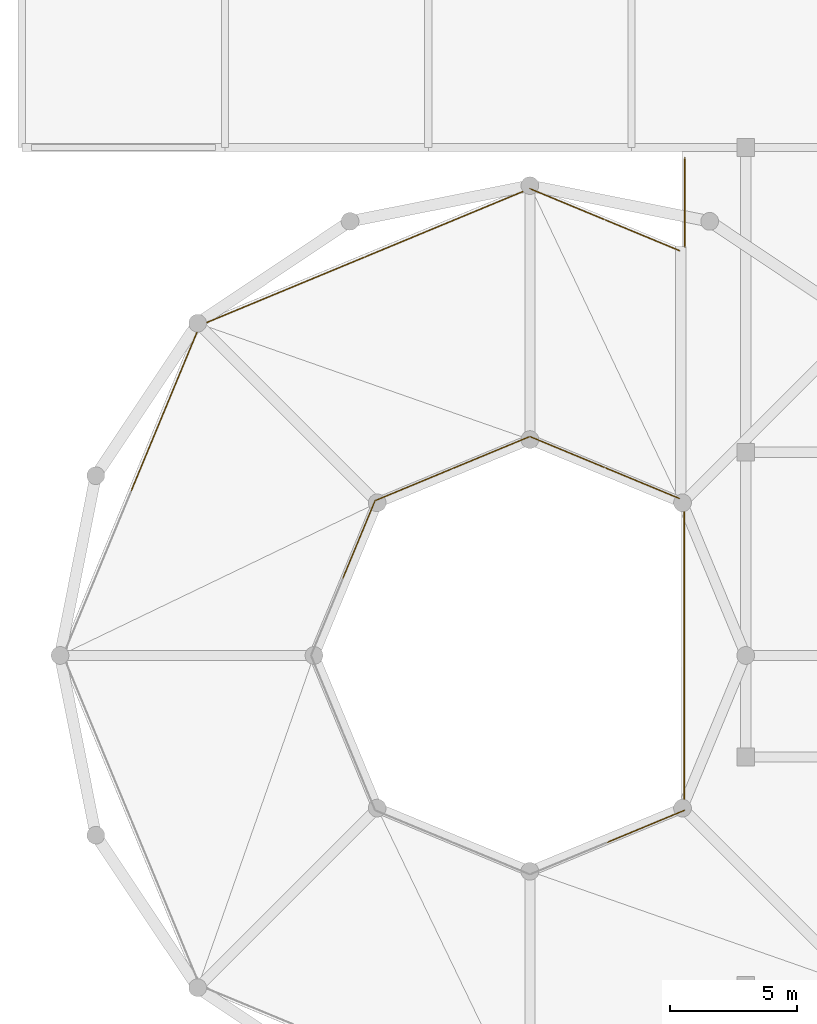
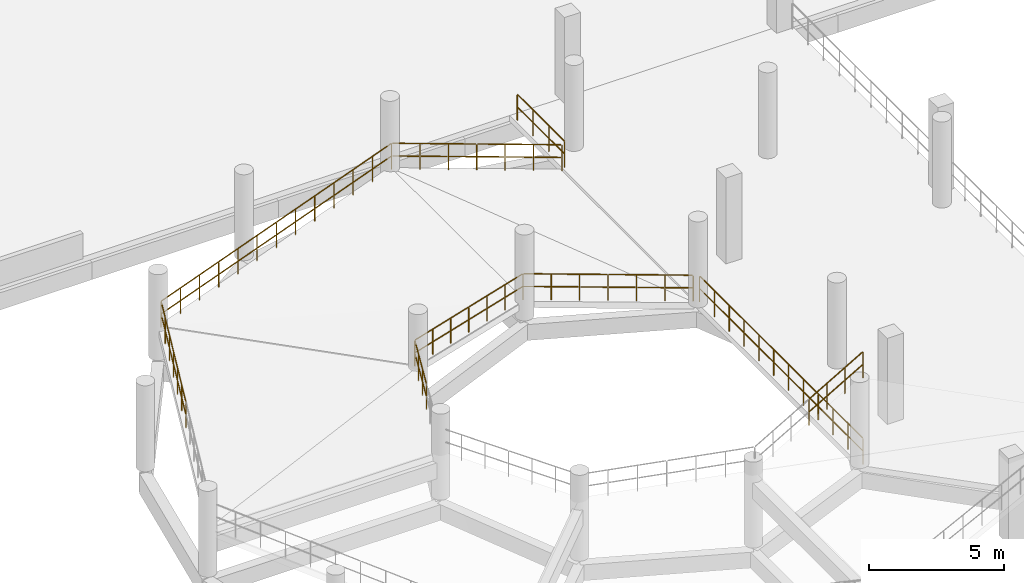
# One storey, part 67 of 76: 13 railings.
"""IFC4 building model written with IfcOpenShell, lengths in metres."""

from ifc_helpers import new_model, si_unit, derived_unit, direction, frame, origin, origin_2d, place, context, subcontext, project, spatial, circle, extrude, material, type_object, element, save


model = new_model("IFC4")

# Units and contexts
model_context = context("Model", 3, precision=1e-05, world=origin(), true_north=direction((0.0, 1.0)))
body_context = subcontext(model_context, "Body", "Model", "MODEL_VIEW")
ifc_project = project(units=[si_unit("LENGTHUNIT", "METRE"), si_unit("AREAUNIT", "SQUARE_METRE"), si_unit("VOLUMEUNIT", "CUBIC_METRE"), si_unit("PLANEANGLEUNIT", "RADIAN"), si_unit("MASSUNIT", "GRAM", prefix="KILO"), si_unit("THERMODYNAMICTEMPERATUREUNIT", "KELVIN"), derived_unit("THERMALTRANSMITTANCEUNIT", [(si_unit("POWERUNIT", "WATT"), 1), (si_unit("AREAUNIT", "SQUARE_METRE"), -1), (si_unit("THERMODYNAMICTEMPERATUREUNIT", "KELVIN"), -1)])], contexts=[model_context])

# Site, building, storey
site_placement = place(None, origin())
site = spatial("IfcSite", under=ifc_project, at=site_placement, CompositionType="ELEMENT")
building_placement = place(site_placement, origin())
building = spatial("IfcBuilding", under=site, at=building_placement, Name="Haiyu Intermodal Mobility Hub", CompositionType="ELEMENT")
storey_placement = place(building_placement, frame((0.0, 0.0, 17.300048828125)))
storey = spatial("IfcBuildingStorey", under=building, at=storey_placement, Name="L04", CompositionType="ELEMENT", Elevation=17.300048828125)

# Railings
ifc_material = material(Name="Steel Q355C", Category="steel")
railing_type = type_object("IfcRailingType", Name="RAL-GR01", PredefinedType="GUARDRAIL", material=ifc_material)
railing_1_placement = place(storey_placement, frame((40.080078125, 53.8798828125, 0.0)))
element("IfcRailing", 1, at=railing_1_placement, inside=storey, type_object=railing_type, Name="L04 Ramp Arrival Deck Inner Drum Guard", PredefinedType="GUARDRAIL", context=body_context, shape_type="SweptSolid", body=[
    extrude(circle(Radius=0.02392578125, at=origin_2d()), frame((0.0, 0.030029296875, 1.17578125), z_axis=(0.0, 1.0, 0.0), x_axis=(-1.0, 0.0, 0.0)), (0.0, 0.0, 1.0), 12.080078125),
    extrude(circle(Radius=0.02392578125, at=origin_2d()), frame((0.0, 0.037353515625, 0.60009765625), z_axis=(0.0, 1.0, 0.0), x_axis=(-1.0, 0.0, 0.0)), (0.0, 0.0, 1.0), 1.029052734375),
    extrude(circle(Radius=0.02392578125, at=origin_2d()), frame((0.0, 1.140869140625, 0.60009765625), z_axis=(0.0, 1.0, 0.0), x_axis=(-1.0, 0.0, 0.0)), (0.0, 0.0, 1.0), 1.029052734375),
    extrude(circle(Radius=0.02392578125, at=origin_2d()), frame((0.0, 2.24462890625, 0.60009765625), z_axis=(0.0, 1.0, 0.0), x_axis=(-1.0, 0.0, 0.0)), (0.0, 0.0, 1.0), 1.029052734375),
    extrude(circle(Radius=0.02392578125, at=origin_2d()), frame((0.0, 3.34814453125, 0.60009765625), z_axis=(0.0, 1.0, 0.0), x_axis=(-1.0, 0.0, 0.0)), (0.0, 0.0, 1.0), 1.029052734375),
    extrude(circle(Radius=0.02392578125, at=origin_2d()), frame((0.0, 4.451904296875, 0.60009765625), z_axis=(0.0, 1.0, 0.0), x_axis=(-1.0, 0.0, 0.0)), (0.0, 0.0, 1.0), 1.029052734375),
    extrude(circle(Radius=0.02392578125, at=origin_2d()), frame((0.0, 5.555419921875, 0.60009765625), z_axis=(0.0, 1.0, 0.0), x_axis=(-1.0, 0.0, 0.0)), (0.0, 0.0, 1.0), 1.029052734375),
    extrude(circle(Radius=0.02392578125, at=origin_2d()), frame((0.0, 6.6591796875, 0.60009765625), z_axis=(0.0, 1.0, 0.0), x_axis=(-1.0, 0.0, 0.0)), (0.0, 0.0, 1.0), 1.029052734375),
    extrude(circle(Radius=0.02392578125, at=origin_2d()), frame((0.0, 7.762939453125, 0.60009765625), z_axis=(0.0, 1.0, 0.0), x_axis=(-1.0, 0.0, 0.0)), (0.0, 0.0, 1.0), 1.029052734375),
    extrude(circle(Radius=0.02392578125, at=origin_2d()), frame((0.0, 8.866455078125, 0.60009765625), z_axis=(0.0, 1.0, 0.0), x_axis=(-1.0, 0.0, 0.0)), (0.0, 0.0, 1.0), 1.029052734375),
    extrude(circle(Radius=0.02392578125, at=origin_2d()), frame((0.0, 9.97021484375, 0.60009765625), z_axis=(0.0, 1.0, 0.0), x_axis=(-1.0, 0.0, 0.0)), (0.0, 0.0, 1.0), 1.029052734375),
    extrude(circle(Radius=0.02392578125, at=origin_2d()), frame((0.0, 11.07373046875, 0.60009765625), z_axis=(0.0, 1.0, 0.0), x_axis=(-1.0, 0.0, 0.0)), (0.0, 0.0, 1.0), 1.029052734375),
    extrude(circle(Radius=0.02099609375, at=origin_2d()), origin(), (0.0, 0.0, 1.0), 1.143798828125),
    extrude(circle(Radius=0.02099609375, at=origin_2d()), frame((0.0, 1.103759765625, 0.0)), (0.0, 0.0, 1.0), 1.143798828125),
    extrude(circle(Radius=0.02099609375, at=origin_2d()), frame((0.0, 2.207275390625, 0.0)), (0.0, 0.0, 1.0), 1.143798828125),
    extrude(circle(Radius=0.02099609375, at=origin_2d()), frame((0.0, 3.31103515625, 0.0)), (0.0, 0.0, 1.0), 1.143798828125),
    extrude(circle(Radius=0.02099609375, at=origin_2d()), frame((0.0, 4.41455078125, 0.0)), (0.0, 0.0, 1.0), 1.143798828125),
    extrude(circle(Radius=0.02099609375, at=origin_2d()), frame((0.0, 5.518310546875, 0.0)), (0.0, 0.0, 1.0), 1.143798828125),
    extrude(circle(Radius=0.02099609375, at=origin_2d()), frame((0.0, 6.621826171875, 0.0)), (0.0, 0.0, 1.0), 1.143798828125),
    extrude(circle(Radius=0.02099609375, at=origin_2d()), frame((0.0, 7.7255859375, 0.0)), (0.0, 0.0, 1.0), 1.143798828125),
    extrude(circle(Radius=0.02099609375, at=origin_2d()), frame((0.0, 8.8291015625, 0.0)), (0.0, 0.0, 1.0), 1.143798828125),
    extrude(circle(Radius=0.02099609375, at=origin_2d()), frame((0.0, 9.932861328125, 0.0)), (0.0, 0.0, 1.0), 1.143798828125),
    extrude(circle(Radius=0.02099609375, at=origin_2d()), frame((0.0, 11.036376953125, 0.0)), (0.0, 0.0, 1.0), 1.143798828125),
    extrude(circle(Radius=0.02099609375, at=origin_2d()), frame((0.0, 12.14013671875, 0.0)), (0.0, 0.0, 1.0), 1.143798828125),
])
railing_2_placement = place(storey_placement, frame((40.10009765625, 76.080078125, 0.0)))
element("IfcRailing", 2, at=railing_2_placement, inside=storey, type_object=railing_type, Name="L04 Ramp Arrival Deck North-West Guard", PredefinedType="GUARDRAIL", context=body_context, shape_type="SweptSolid", body=[
    extrude(circle(Radius=0.02392578125, at=origin_2d()), frame((0.0, 0.030029296875, 1.17578125), z_axis=(0.0, 1.0, 0.0), x_axis=(-1.0, 0.0, 0.0)), (0.0, 0.0, 1.0), 3.4599609375),
    extrude(circle(Radius=0.02392578125, at=origin_2d()), frame((0.0, 0.037353515625, 0.60009765625), z_axis=(0.0, 1.0, 0.0), x_axis=(-1.0, 0.0, 0.0)), (0.0, 0.0, 1.0), 1.0986328125),
    extrude(circle(Radius=0.02392578125, at=origin_2d()), frame((0.0, 1.210693359375, 0.60009765625), z_axis=(0.0, 1.0, 0.0), x_axis=(-1.0, 0.0, 0.0)), (0.0, 0.0, 1.0), 1.0986328125),
    extrude(circle(Radius=0.02392578125, at=origin_2d()), frame((0.0, 2.384033203125, 0.60009765625), z_axis=(0.0, 1.0, 0.0), x_axis=(-1.0, 0.0, 0.0)), (0.0, 0.0, 1.0), 1.0986328125),
    extrude(circle(Radius=0.02099609375, at=origin_2d()), origin(), (0.0, 0.0, 1.0), 1.143798828125),
    extrude(circle(Radius=0.02099609375, at=origin_2d()), frame((0.0, 1.17333984375, 0.0)), (0.0, 0.0, 1.0), 1.143798828125),
    extrude(circle(Radius=0.02099609375, at=origin_2d()), frame((0.0, 2.3466796875, 0.0)), (0.0, 0.0, 1.0), 1.143798828125),
    extrude(circle(Radius=0.02099609375, at=origin_2d()), frame((0.0, 3.52001953125, 0.0)), (0.0, 0.0, 1.0), 1.143798828125),
])
for number, where, name in (
    (3, (39.89990234375, 75.93603515625, 0.0), "RAL-VRMP-O-L04-01A"),
    (4, (36.949951171875, 77.157958984375, 0.324951171875), "RAL-VRMP-O-L04-01B"),
    (5, (39.89990234375, 66.176025390625, 0.0), "RAL-VRMP-I-L04-01A"),
):
    element("IfcRailing", number, at=place(storey_placement, frame(where)), inside=storey, type_object=railing_type, Name=name, PredefinedType="GUARDRAIL", context=body_context, shape_type="SweptSolid", body=[
        extrude(circle(Radius=0.02392578125, at=origin_2d()), frame((-0.027587890625, 0.011474609375, 1.178955078125), z_axis=(-0.91913050102, 0.380720694993, 0.101246602405), x_axis=(-0.382687186701, -0.923877977405, 0.0)), (0.0, 0.0, 1.0), 3.1494140625),
        extrude(circle(Radius=0.02392578125, at=origin_2d()), frame((-0.0341796875, 0.01416015625, 0.603759765625), z_axis=(-0.91913050102, 0.380720694993, 0.101246602405), x_axis=(-0.382687186701, -0.923877977405, 0.0)), (0.0, 0.0, 1.0), 0.995361328125),
        extrude(circle(Radius=0.02392578125, at=origin_2d()), frame((-1.017578125, 0.42138671875, 0.712158203125), z_axis=(-0.91913050102, 0.380720694993, 0.101246602405), x_axis=(-0.382687186701, -0.923877977405, 0.0)), (0.0, 0.0, 1.0), 0.995361328125),
        extrude(circle(Radius=0.02392578125, at=origin_2d()), frame((-2.0009765625, 0.828857421875, 0.8203125), z_axis=(-0.91913050102, 0.380720694993, 0.101246602405), x_axis=(-0.382687186701, -0.923877977405, 0.0)), (0.0, 0.0, 1.0), 0.995361328125),
        extrude(circle(Radius=0.02099609375, at=origin_2d()), origin(), (0.0, 0.0, 1.0), 1.143798828125),
        extrude(circle(Radius=0.02099609375, at=origin_2d()), frame((-0.9833984375, 0.4072265625, 0.1083984375)), (0.0, 0.0, 1.0), 1.143798828125),
        extrude(circle(Radius=0.02099609375, at=origin_2d()), frame((-1.966552734375, 0.814697265625, 0.216552734375)), (0.0, 0.0, 1.0), 1.143798828125),
        extrude(circle(Radius=0.02099609375, at=origin_2d()), frame((-2.949951171875, 1.221923828125, 0.324951171875)), (0.0, 0.0, 1.0), 1.143798828125),
    ])
railing_3_placement = place(storey_placement, frame((36.949951171875, 67.39794921875, 0.324951171875)))
element("IfcRailing", 6, at=railing_3_placement, inside=storey, type_object=railing_type, Name="RAL-VRMP-I-L04-01B", PredefinedType="GUARDRAIL", context=body_context, shape_type="SweptSolid", body=[
    extrude(circle(Radius=0.02392578125, at=origin_2d()), frame((-0.027587890625, 0.011474609375, 1.178955078125), z_axis=(-0.919103880865, 0.380785734305, 0.101243670068), x_axis=(-0.382752447143, -0.923850942634, 0.0)), (0.0, 0.0, 1.0), 3.149658203125),
    extrude(circle(Radius=0.02392578125, at=origin_2d()), frame((-0.0341796875, 0.01416015625, 0.603759765625), z_axis=(-0.919103880865, 0.380785734305, 0.101243670068), x_axis=(-0.382752447143, -0.923850942634, 0.0)), (0.0, 0.0, 1.0), 0.995361328125),
    extrude(circle(Radius=0.02392578125, at=origin_2d()), frame((-1.017578125, 0.421630859375, 0.712158203125), z_axis=(-0.919103880865, 0.380785734305, 0.101243670068), x_axis=(-0.382752447143, -0.923850942634, 0.0)), (0.0, 0.0, 1.0), 0.995361328125),
    extrude(circle(Radius=0.02392578125, at=origin_2d()), frame((-2.0009765625, 0.8291015625, 0.8203125), z_axis=(-0.919103880865, 0.380785734305, 0.101243670068), x_axis=(-0.382752447143, -0.923850942634, 0.0)), (0.0, 0.0, 1.0), 0.995361328125),
    extrude(circle(Radius=0.02099609375, at=origin_2d()), origin(), (0.0, 0.0, 1.0), 1.143798828125),
    extrude(circle(Radius=0.02099609375, at=origin_2d()), frame((-0.9833984375, 0.407470703125, 0.1083984375)), (0.0, 0.0, 1.0), 1.143798828125),
    extrude(circle(Radius=0.02099609375, at=origin_2d()), frame((-1.966552734375, 0.814697265625, 0.216552734375)), (0.0, 0.0, 1.0), 1.143798828125),
    extrude(circle(Radius=0.02099609375, at=origin_2d()), frame((-2.949951171875, 1.22216796875, 0.324951171875)), (0.0, 0.0, 1.0), 1.143798828125),
])
railing_4_placement = place(storey_placement, frame((34.0, 78.3798828125, 0.64990234375)))
element("IfcRailing", 7, at=railing_4_placement, inside=storey, type_object=railing_type, Name="RAL-VRMP-O-L04-02A", PredefinedType="GUARDRAIL", context=body_context, shape_type="SweptSolid", body=[
    extrude(circle(Radius=0.02392578125, at=origin_2d()), frame((-0.027587890625, -0.011474609375, 1.17724609375), z_axis=(-0.922879282684, -0.382313907833, 0.046150898905), x_axis=(0.382721705618, -0.923863678282, 0.0)), (0.0, 0.0, 1.0), 6.98095703125),
    extrude(circle(Radius=0.02392578125, at=origin_2d()), frame((-0.034423828125, -0.01416015625, 0.601806640625), z_axis=(-0.922879282684, -0.382313907833, 0.046150898905), x_axis=(0.382721705618, -0.923863678282, 0.0)), (0.0, 0.0, 1.0), 1.098876953125),
    extrude(circle(Radius=0.02392578125, at=origin_2d()), frame((-1.117431640625, -0.462890625, 0.65576171875), z_axis=(-0.922879282684, -0.382313907833, 0.046150898905), x_axis=(0.382721705618, -0.923863678282, 0.0)), (0.0, 0.0, 1.0), 1.098876953125),
    extrude(circle(Radius=0.02392578125, at=origin_2d()), frame((-2.200439453125, -0.91162109375, 0.7099609375), z_axis=(-0.922879282684, -0.382313907833, 0.046150898905), x_axis=(0.382721705618, -0.923863678282, 0.0)), (0.0, 0.0, 1.0), 1.098876953125),
    extrude(circle(Radius=0.02392578125, at=origin_2d()), frame((-3.283447265625, -1.360107421875, 0.76416015625), z_axis=(-0.922879282684, -0.382313907833, 0.046150898905), x_axis=(0.382721705618, -0.923863678282, 0.0)), (0.0, 0.0, 1.0), 1.098876953125),
    extrude(circle(Radius=0.02392578125, at=origin_2d()), frame((-4.366455078125, -1.808837890625, 0.818359375), z_axis=(-0.922879282684, -0.382313907833, 0.046150898905), x_axis=(0.382721705618, -0.923863678282, 0.0)), (0.0, 0.0, 1.0), 1.098876953125),
    extrude(circle(Radius=0.02392578125, at=origin_2d()), frame((-5.449462890625, -2.257568359375, 0.87255859375), z_axis=(-0.922879282684, -0.382313907833, 0.046150898905), x_axis=(0.382721705618, -0.923863678282, 0.0)), (0.0, 0.0, 1.0), 1.098876953125),
    extrude(circle(Radius=0.02099609375, at=origin_2d()), origin(), (0.0, 0.0, 1.0), 1.143798828125),
    extrude(circle(Radius=0.02099609375, at=origin_2d()), frame((-1.0830078125, -0.44873046875, 0.05419921875)), (0.0, 0.0, 1.0), 1.143798828125),
    extrude(circle(Radius=0.02099609375, at=origin_2d()), frame((-2.166015625, -0.897216796875, 0.1083984375)), (0.0, 0.0, 1.0), 1.143798828125),
    extrude(circle(Radius=0.02099609375, at=origin_2d()), frame((-3.2490234375, -1.345947265625, 0.16259765625)), (0.0, 0.0, 1.0), 1.143798828125),
    extrude(circle(Radius=0.02099609375, at=origin_2d()), frame((-4.33203125, -1.794677734375, 0.216552734375)), (0.0, 0.0, 1.0), 1.143798828125),
    extrude(circle(Radius=0.02099609375, at=origin_2d()), frame((-5.4150390625, -2.2431640625, 0.270751953125)), (0.0, 0.0, 1.0), 1.143798828125),
    extrude(circle(Radius=0.02099609375, at=origin_2d()), frame((-6.498046875, -2.69189453125, 0.324951171875)), (0.0, 0.0, 1.0), 1.143798828125),
])
railing_5_placement = place(storey_placement, frame((27.501953125, 75.68798828125, 0.974853515625)))
element("IfcRailing", 8, at=railing_5_placement, inside=storey, type_object=railing_type, Name="RAL-VRMP-O-L04-02B", PredefinedType="GUARDRAIL", context=body_context, shape_type="SweptSolid", body=[
    extrude(circle(Radius=0.02392578125, at=origin_2d()), frame((-0.027587890625, -0.011474609375, 1.17724609375), z_axis=(-0.922877805314, -0.382313295814, 0.046185498823), x_axis=(0.382721705618, -0.923863678282, 0.0)), (0.0, 0.0, 1.0), 6.98095703125),
    extrude(circle(Radius=0.02392578125, at=origin_2d()), frame((-0.034423828125, -0.01416015625, 0.601806640625), z_axis=(-0.922877805314, -0.382313295814, 0.046185498823), x_axis=(0.382721705618, -0.923863678282, 0.0)), (0.0, 0.0, 1.0), 1.098876953125),
    extrude(circle(Radius=0.02392578125, at=origin_2d()), frame((-1.117431640625, -0.462890625, 0.656005859375), z_axis=(-0.922877805314, -0.382313295814, 0.046185498823), x_axis=(0.382721705618, -0.923863678282, 0.0)), (0.0, 0.0, 1.0), 1.098876953125),
    extrude(circle(Radius=0.02392578125, at=origin_2d()), frame((-2.200439453125, -0.91162109375, 0.710205078125), z_axis=(-0.922877805314, -0.382313295814, 0.046185498823), x_axis=(0.382721705618, -0.923863678282, 0.0)), (0.0, 0.0, 1.0), 1.098876953125),
    extrude(circle(Radius=0.02392578125, at=origin_2d()), frame((-3.283447265625, -1.360107421875, 0.764404296875), z_axis=(-0.922877805314, -0.382313295814, 0.046185498823), x_axis=(0.382721705618, -0.923863678282, 0.0)), (0.0, 0.0, 1.0), 1.098876953125),
    extrude(circle(Radius=0.02392578125, at=origin_2d()), frame((-4.366455078125, -1.808837890625, 0.818603515625), z_axis=(-0.922877805314, -0.382313295814, 0.046185498823), x_axis=(0.382721705618, -0.923863678282, 0.0)), (0.0, 0.0, 1.0), 1.098876953125),
    extrude(circle(Radius=0.02392578125, at=origin_2d()), frame((-5.449462890625, -2.257568359375, 0.872802734375), z_axis=(-0.922877805314, -0.382313295814, 0.046185498823), x_axis=(0.382721705618, -0.923863678282, 0.0)), (0.0, 0.0, 1.0), 1.098876953125),
    extrude(circle(Radius=0.02099609375, at=origin_2d()), origin(), (0.0, 0.0, 1.0), 1.143798828125),
    extrude(circle(Radius=0.02099609375, at=origin_2d()), frame((-1.0830078125, -0.44873046875, 0.05419921875)), (0.0, 0.0, 1.0), 1.143798828125),
    extrude(circle(Radius=0.02099609375, at=origin_2d()), frame((-2.166015625, -0.897216796875, 0.1083984375)), (0.0, 0.0, 1.0), 1.143798828125),
    extrude(circle(Radius=0.02099609375, at=origin_2d()), frame((-3.2490234375, -1.345947265625, 0.16259765625)), (0.0, 0.0, 1.0), 1.143798828125),
    extrude(circle(Radius=0.02099609375, at=origin_2d()), frame((-4.33203125, -1.794677734375, 0.216796875)), (0.0, 0.0, 1.0), 1.143798828125),
    extrude(circle(Radius=0.02099609375, at=origin_2d()), frame((-5.4150390625, -2.2431640625, 0.27099609375)), (0.0, 0.0, 1.0), 1.143798828125),
    extrude(circle(Radius=0.02099609375, at=origin_2d()), frame((-6.498046875, -2.69189453125, 0.3251953125)), (0.0, 0.0, 1.0), 1.143798828125),
])
railing_6_placement = place(storey_placement, frame((34.0, 68.6201171875, 0.64990234375)))
element("IfcRailing", 9, at=railing_6_placement, inside=storey, type_object=railing_type, Name="RAL-VRMP-I-L04-02A", PredefinedType="GUARDRAIL", context=body_context, shape_type="SweptSolid", body=[
    extrude(circle(Radius=0.02392578125, at=origin_2d()), frame((-0.027587890625, -0.011474609375, 1.178955078125), z_axis=(-0.919468217836, -0.380748953641, 0.098022602959), x_axis=(0.382591441855, -0.923917630863, 0.0)), (0.0, 0.0, 1.0), 3.255126953125),
    extrude(circle(Radius=0.02392578125, at=origin_2d()), frame((-0.0341796875, -0.01416015625, 0.603515625), z_axis=(-0.919468217836, -0.380748953641, 0.098022602959), x_axis=(0.382591441855, -0.923917630863, 0.0)), (0.0, 0.0, 1.0), 1.030517578125),
    extrude(circle(Radius=0.02392578125, at=origin_2d()), frame((-1.05029296875, -0.434814453125, 0.7119140625), z_axis=(-0.919468217836, -0.380748953641, 0.098022602959), x_axis=(0.382591441855, -0.923917630863, 0.0)), (0.0, 0.0, 1.0), 1.030517578125),
    extrude(circle(Radius=0.02392578125, at=origin_2d()), frame((-2.06640625, -0.855712890625, 0.8203125), z_axis=(-0.919468217836, -0.380748953641, 0.098022602959), x_axis=(0.382591441855, -0.923917630863, 0.0)), (0.0, 0.0, 1.0), 1.030517578125),
    extrude(circle(Radius=0.02099609375, at=origin_2d()), origin(), (0.0, 0.0, 1.0), 1.143798828125),
    extrude(circle(Radius=0.02099609375, at=origin_2d()), frame((-1.01611328125, -0.420654296875, 0.1083984375)), (0.0, 0.0, 1.0), 1.143798828125),
    extrude(circle(Radius=0.02099609375, at=origin_2d()), frame((-2.031982421875, -0.841552734375, 0.216552734375)), (0.0, 0.0, 1.0), 1.143798828125),
    extrude(circle(Radius=0.02099609375, at=origin_2d()), frame((-3.048095703125, -1.26220703125, 0.324951171875)), (0.0, 0.0, 1.0), 1.143798828125),
])
railing_7_placement = place(storey_placement, frame((30.951904296875, 67.35791015625, 0.974853515625)))
element("IfcRailing", 10, at=railing_7_placement, inside=storey, type_object=railing_type, Name="RAL-VRMP-I-L04-02B", PredefinedType="GUARDRAIL", context=body_context, shape_type="SweptSolid", body=[
    extrude(circle(Radius=0.02392578125, at=origin_2d()), frame((-0.027587890625, -0.011474609375, 1.178955078125), z_axis=(-0.919327218751, -0.381064078734, 0.098120501232), x_axis=(0.382911803909, -0.923784904849, 0.0)), (0.0, 0.0, 1.0), 3.254150390625),
    extrude(circle(Radius=0.02392578125, at=origin_2d()), frame((-0.0341796875, -0.01416015625, 0.603515625), z_axis=(-0.919327218751, -0.381064078734, 0.098120501232), x_axis=(0.382911803909, -0.923784904849, 0.0)), (0.0, 0.0, 1.0), 1.0302734375),
    extrude(circle(Radius=0.02392578125, at=origin_2d()), frame((-1.0498046875, -0.435302734375, 0.7119140625), z_axis=(-0.919327218751, -0.381064078734, 0.098120501232), x_axis=(0.382911803909, -0.923784904849, 0.0)), (0.0, 0.0, 1.0), 1.0302734375),
    extrude(circle(Radius=0.02392578125, at=origin_2d()), frame((-2.0654296875, -0.856201171875, 0.8203125), z_axis=(-0.919327218751, -0.381064078734, 0.098120501232), x_axis=(0.382911803909, -0.923784904849, 0.0)), (0.0, 0.0, 1.0), 1.0302734375),
    extrude(circle(Radius=0.02099609375, at=origin_2d()), origin(), (0.0, 0.0, 1.0), 1.143798828125),
    extrude(circle(Radius=0.02099609375, at=origin_2d()), frame((-1.015625, -0.4208984375, 0.1083984375)), (0.0, 0.0, 1.0), 1.143798828125),
    extrude(circle(Radius=0.02099609375, at=origin_2d()), frame((-2.03125, -0.842041015625, 0.216796875)), (0.0, 0.0, 1.0), 1.143798828125),
    extrude(circle(Radius=0.02099609375, at=origin_2d()), frame((-3.046875, -1.262939453125, 0.3251953125)), (0.0, 0.0, 1.0), 1.143798828125),
])
railing_8_placement = place(storey_placement, frame((21.00390625, 72.99609375, 1.300048828125)))
element("IfcRailing", 11, at=railing_8_placement, inside=storey, type_object=railing_type, Name="RAL-VRMP-O-L04-03A", PredefinedType="GUARDRAIL", context=body_context, shape_type="SweptSolid", body=[
    extrude(circle(Radius=0.02392578125, at=origin_2d()), frame((-0.011474609375, -0.027587890625, 1.17724609375), z_axis=(-0.382313907833, -0.922879282684, 0.046150898905), x_axis=(0.923863678282, -0.382721705618, 0.0)), (0.0, 0.0, 1.0), 6.98095703125),
    extrude(circle(Radius=0.02392578125, at=origin_2d()), frame((-0.01416015625, -0.034423828125, 0.601806640625), z_axis=(-0.382313907833, -0.922879282684, 0.046150898905), x_axis=(0.923863678282, -0.382721705618, 0.0)), (0.0, 0.0, 1.0), 1.098876953125),
    extrude(circle(Radius=0.02392578125, at=origin_2d()), frame((-0.462890625, -1.117431640625, 0.65576171875), z_axis=(-0.382313907833, -0.922879282684, 0.046150898905), x_axis=(0.923863678282, -0.382721705618, 0.0)), (0.0, 0.0, 1.0), 1.098876953125),
    extrude(circle(Radius=0.02392578125, at=origin_2d()), frame((-0.91162109375, -2.200439453125, 0.7099609375), z_axis=(-0.382313907833, -0.922879282684, 0.046150898905), x_axis=(0.923863678282, -0.382721705618, 0.0)), (0.0, 0.0, 1.0), 1.098876953125),
    extrude(circle(Radius=0.02392578125, at=origin_2d()), frame((-1.360107421875, -3.283447265625, 0.76416015625), z_axis=(-0.382313907833, -0.922879282684, 0.046150898905), x_axis=(0.923863678282, -0.382721705618, 0.0)), (0.0, 0.0, 1.0), 1.098876953125),
    extrude(circle(Radius=0.02392578125, at=origin_2d()), frame((-1.808837890625, -4.366455078125, 0.818359375), z_axis=(-0.382313907833, -0.922879282684, 0.046150898905), x_axis=(0.923863678282, -0.382721705618, 0.0)), (0.0, 0.0, 1.0), 1.098876953125),
    extrude(circle(Radius=0.02392578125, at=origin_2d()), frame((-2.257568359375, -5.449462890625, 0.87255859375), z_axis=(-0.382313907833, -0.922879282684, 0.046150898905), x_axis=(0.923863678282, -0.382721705618, 0.0)), (0.0, 0.0, 1.0), 1.098876953125),
    extrude(circle(Radius=0.02099609375, at=origin_2d()), origin(), (0.0, 0.0, 1.0), 1.143798828125),
    extrude(circle(Radius=0.02099609375, at=origin_2d()), frame((-0.44873046875, -1.0830078125, 0.05419921875)), (0.0, 0.0, 1.0), 1.143798828125),
    extrude(circle(Radius=0.02099609375, at=origin_2d()), frame((-0.897216796875, -2.166015625, 0.1083984375)), (0.0, 0.0, 1.0), 1.143798828125),
    extrude(circle(Radius=0.02099609375, at=origin_2d()), frame((-1.345947265625, -3.2490234375, 0.16259765625)), (0.0, 0.0, 1.0), 1.143798828125),
    extrude(circle(Radius=0.02099609375, at=origin_2d()), frame((-1.794677734375, -4.33203125, 0.216552734375)), (0.0, 0.0, 1.0), 1.143798828125),
    extrude(circle(Radius=0.02099609375, at=origin_2d()), frame((-2.2431640625, -5.4150390625, 0.270751953125)), (0.0, 0.0, 1.0), 1.143798828125),
    extrude(circle(Radius=0.02099609375, at=origin_2d()), frame((-2.69189453125, -6.498046875, 0.324951171875)), (0.0, 0.0, 1.0), 1.143798828125),
])
railing_9_placement = place(storey_placement, frame((27.905029296875, 66.094970703125, 1.300048828125)))
element("IfcRailing", 12, at=railing_9_placement, inside=storey, type_object=railing_type, Name="RAL-VRMP-I-L04-03A", PredefinedType="GUARDRAIL", context=body_context, shape_type="SweptSolid", body=[
    extrude(circle(Radius=0.02392578125, at=origin_2d()), frame((-0.011474609375, -0.027587890625, 1.178955078125), z_axis=(-0.381066832043, -0.919333861182, 0.098047545612), x_axis=(0.923784904849, -0.382911803909, 0.0)), (0.0, 0.0, 1.0), 3.254150390625),
    extrude(circle(Radius=0.02392578125, at=origin_2d()), frame((-0.01416015625, -0.0341796875, 0.603515625), z_axis=(-0.381066832043, -0.919333861182, 0.098047545612), x_axis=(0.923784904849, -0.382911803909, 0.0)), (0.0, 0.0, 1.0), 1.030029296875),
    extrude(circle(Radius=0.02392578125, at=origin_2d()), frame((-0.435302734375, -1.0498046875, 0.7119140625), z_axis=(-0.381066832043, -0.919333861182, 0.098047545612), x_axis=(0.923784904849, -0.382911803909, 0.0)), (0.0, 0.0, 1.0), 1.030029296875),
    extrude(circle(Radius=0.02392578125, at=origin_2d()), frame((-0.856201171875, -2.0654296875, 0.8203125), z_axis=(-0.381066832043, -0.919333861182, 0.098047545612), x_axis=(0.923784904849, -0.382911803909, 0.0)), (0.0, 0.0, 1.0), 1.030029296875),
    extrude(circle(Radius=0.02099609375, at=origin_2d()), origin(), (0.0, 0.0, 1.0), 1.143798828125),
    extrude(circle(Radius=0.02099609375, at=origin_2d()), frame((-0.4208984375, -1.015625, 0.1083984375)), (0.0, 0.0, 1.0), 1.143798828125),
    extrude(circle(Radius=0.02099609375, at=origin_2d()), frame((-0.842041015625, -2.03125, 0.216552734375)), (0.0, 0.0, 1.0), 1.143798828125),
    extrude(circle(Radius=0.02099609375, at=origin_2d()), frame((-1.262939453125, -3.046875, 0.324951171875)), (0.0, 0.0, 1.0), 1.143798828125),
])
railing_10_placement = place(storey_placement, frame((37.048095703125, 52.64208984375, 3.574951171875)))
element("IfcRailing", 13, at=railing_10_placement, inside=storey, type_object=railing_type, Name="RAL-VRMP-I-L04-06B", PredefinedType="GUARDRAIL", context=body_context, shape_type="SweptSolid", body=[
    extrude(circle(Radius=0.02392578125, at=origin_2d()), frame((0.027587890625, 0.011474609375, 1.178955078125), z_axis=(0.919333861182, 0.381066832043, 0.098047545612), x_axis=(-0.382911803909, 0.923784904849, 0.0)), (0.0, 0.0, 1.0), 3.254150390625),
    extrude(circle(Radius=0.02392578125, at=origin_2d()), frame((0.0341796875, 0.01416015625, 0.603515625), z_axis=(0.919333861182, 0.381066832043, 0.098047545612), x_axis=(-0.382911803909, 0.923784904849, 0.0)), (0.0, 0.0, 1.0), 1.030029296875),
    extrude(circle(Radius=0.02392578125, at=origin_2d()), frame((1.0498046875, 0.435302734375, 0.7119140625), z_axis=(0.919333861182, 0.381066832043, 0.098047545612), x_axis=(-0.382911803909, 0.923784904849, 0.0)), (0.0, 0.0, 1.0), 1.030029296875),
    extrude(circle(Radius=0.02392578125, at=origin_2d()), frame((2.0654296875, 0.856201171875, 0.8203125), z_axis=(0.919333861182, 0.381066832043, 0.098047545612), x_axis=(-0.382911803909, 0.923784904849, 0.0)), (0.0, 0.0, 1.0), 1.030029296875),
    extrude(circle(Radius=0.02099609375, at=origin_2d()), origin(), (0.0, 0.0, 1.0), 1.143798828125),
    extrude(circle(Radius=0.02099609375, at=origin_2d()), frame((1.015625, 0.4208984375, 0.1083984375)), (0.0, 0.0, 1.0), 1.143798828125),
    extrude(circle(Radius=0.02099609375, at=origin_2d()), frame((2.03125, 0.842041015625, 0.216552734375)), (0.0, 0.0, 1.0), 1.143798828125),
    extrude(circle(Radius=0.02099609375, at=origin_2d()), frame((3.046875, 1.262939453125, 0.324951171875)), (0.0, 0.0, 1.0), 1.143798828125),
])

save(model, "model.ifc")
